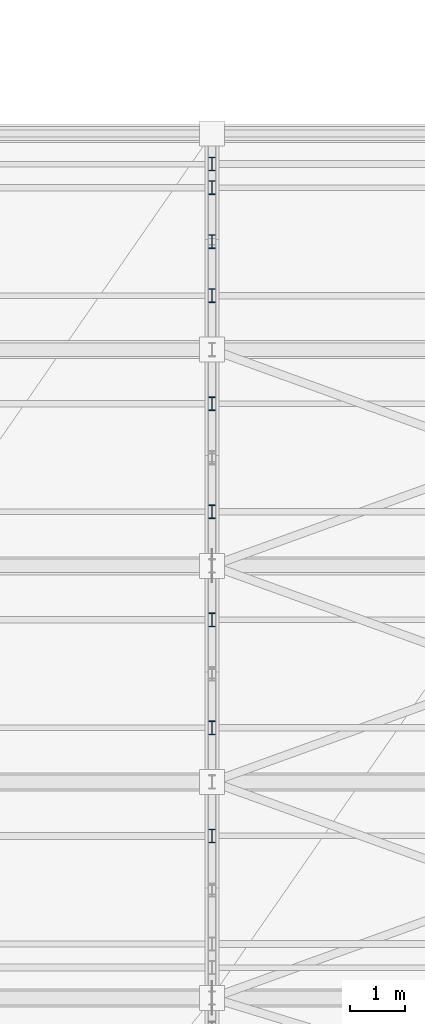
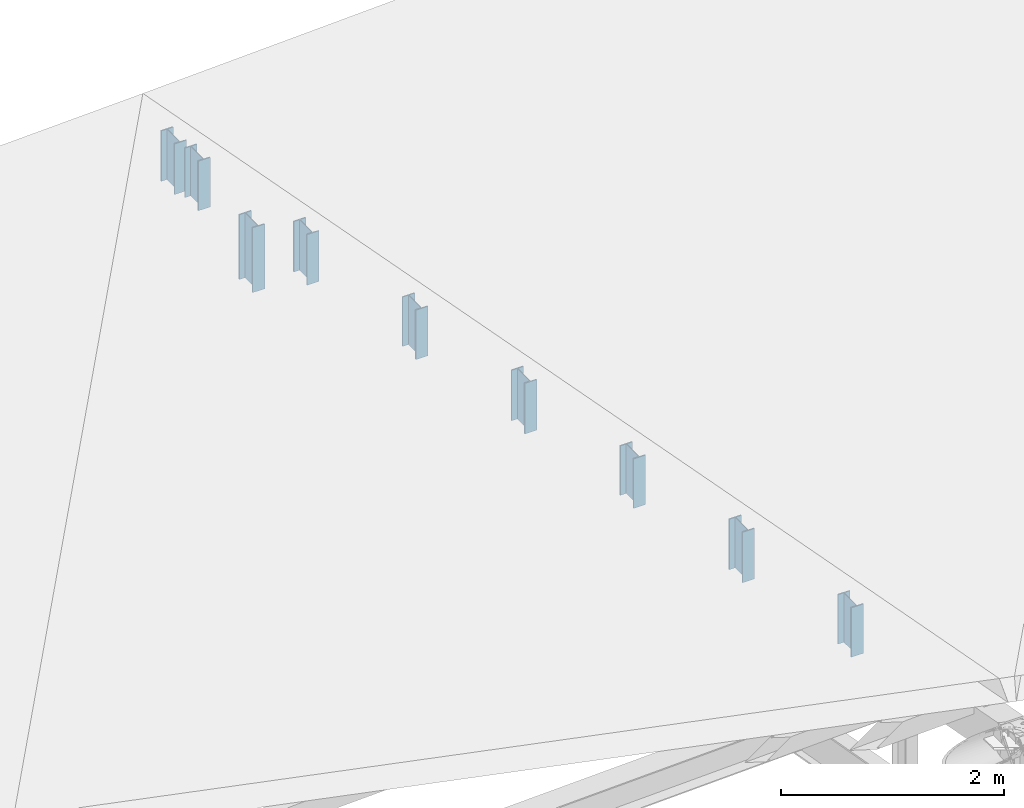
# One storey, part 51 of 89: 9 members.
"""IFC4 building model written with IfcOpenShell, lengths in metres."""

from ifc_helpers import new_model, si_unit, direction, frame, origin, origin_2d, place, context, subcontext, project, spatial, i_section, extrude, material, material_profile, profile_set, type_object, element, save


model = new_model("IFC4")

# Units and contexts
model_context = context("Model", 3, precision=1e-05, world=origin(), true_north=direction((0.0, 1.0)))
body_context = subcontext(model_context, "Body", "Model", "MODEL_VIEW")
ifc_project = project(units=[si_unit("LENGTHUNIT", "METRE"), si_unit("AREAUNIT", "SQUARE_METRE"), si_unit("VOLUMEUNIT", "CUBIC_METRE"), si_unit("PLANEANGLEUNIT", "RADIAN"), si_unit("MASSUNIT", "GRAM", prefix="KILO")], contexts=[model_context])

# Site, building, storey
site_placement = place(None, origin())
site = spatial("IfcSite", under=ifc_project, at=site_placement, CompositionType="ELEMENT")
building_placement = place(site_placement, origin())
building = spatial("IfcBuilding", under=site, at=building_placement, Name="Suirenkawa Promenade Aquatics Centre", CompositionType="ELEMENT")
storey_placement = place(building_placement, frame((0.0, 0.0, 9.60009765625)))
storey = spatial("IfcBuildingStorey", under=building, at=storey_placement, Name="L02", CompositionType="ELEMENT", Elevation=9.60009765625)

# Members
ifc_material = material(Name="Steel IS 2062 E350 (Grade 350)", Category="steel")
ifc_material_profile = material_profile(ifc_material, i_section(OverallWidth=0.125, OverallDepth=0.25, WebThickness=0.007080078125, FlangeThickness=0.012939453125, at=origin_2d()), Name="ISMB 250", Category="steel")
ifc_profile_set = profile_set([ifc_material_profile], Name="Steel IS 2062 E350 (Grade 350)")
member_type = type_object("IfcMemberType", Name="MT-WEB-CHS168", PredefinedType="BRACE", material=ifc_profile_set)
member_1_placement = place(storey_placement, frame((122.39990234375, 26.85009765625, -1.75), z_axis=(0.0, 0.0, 1.0), x_axis=(1.0, 0.0, 0.0)))
element("IfcMember", 1, at=member_1_placement, inside=storey, type_object=member_type, Name="ROOF TRUSS V3 web post TD-03 MB-1430", PredefinedType="BRACE", context=body_context, shape_type="SweptSolid", body=[
    extrude(i_section(OverallWidth=0.125, OverallDepth=0.25, WebThickness=0.007080078125, FlangeThickness=0.012939453125, at=origin_2d()), origin(), (0.0, 0.0, 1.0), 0.708984375),
])
member_2_placement = place(storey_placement, frame((122.39990234375, 16.125, 0.766845703125), z_axis=(0.0, 0.0, 1.0), x_axis=(1.0, 0.0, 0.0)))
element("IfcMember", 2, at=member_2_placement, inside=storey, type_object=member_type, Name="ROOF TRUSS Purlin cleat post TD-03 MB-2770", PredefinedType="BRACE", context=body_context, shape_type="SweptSolid", body=[
    extrude(i_section(OverallWidth=0.125, OverallDepth=0.25, WebThickness=0.007080078125, FlangeThickness=0.012939453125, at=origin_2d()), origin(), (0.0, 0.0, 1.0), 0.541015625),
])
member_3_placement = place(storey_placement, frame((122.39990234375, 18.074951171875, 0.39794921875), z_axis=(0.0, 0.0, 1.0), x_axis=(1.0, 0.0, 0.0)))
element("IfcMember", 3, at=member_3_placement, inside=storey, type_object=member_type, Name="ROOF TRUSS Purlin cleat post TD-03 MB-2772", PredefinedType="BRACE", context=body_context, shape_type="SweptSolid", body=[
    extrude(i_section(OverallWidth=0.125, OverallDepth=0.25, WebThickness=0.007080078125, FlangeThickness=0.012939453125, at=origin_2d()), origin(), (0.0, 0.0, 1.0), 0.552978515625),
])
member_4_placement = place(storey_placement, frame((122.39990234375, 20.02490234375, 0.02880859375), z_axis=(0.0, 0.0, 1.0), x_axis=(1.0, 0.0, 0.0)))
element("IfcMember", 4, at=member_4_placement, inside=storey, type_object=member_type, Name="ROOF TRUSS Purlin cleat post TD-03 MB-2774", PredefinedType="BRACE", context=body_context, shape_type="SweptSolid", body=[
    extrude(i_section(OverallWidth=0.125, OverallDepth=0.25, WebThickness=0.007080078125, FlangeThickness=0.012939453125, at=origin_2d()), origin(), (0.0, 0.0, 1.0), 0.5419921875),
])
member_5_placement = place(storey_placement, frame((122.39990234375, 21.97509765625, -0.339111328125), z_axis=(0.0, 0.0, 1.0), x_axis=(1.0, 0.0, 0.0)))
element("IfcMember", 5, at=member_5_placement, inside=storey, type_object=member_type, Name="ROOF TRUSS Purlin cleat post TD-03 MB-2776", PredefinedType="BRACE", context=body_context, shape_type="SweptSolid", body=[
    extrude(i_section(OverallWidth=0.125, OverallDepth=0.25, WebThickness=0.007080078125, FlangeThickness=0.012939453125, at=origin_2d()), origin(), (0.0, 0.0, 1.0), 0.552978515625),
])
member_6_placement = place(storey_placement, frame((122.39990234375, 23.925048828125, -0.7080078125), z_axis=(0.0, 0.0, 1.0), x_axis=(1.0, 0.0, 0.0)))
element("IfcMember", 6, at=member_6_placement, inside=storey, type_object=member_type, Name="ROOF TRUSS Purlin cleat post TD-03 MB-2778", PredefinedType="BRACE", context=body_context, shape_type="SweptSolid", body=[
    extrude(i_section(OverallWidth=0.125, OverallDepth=0.25, WebThickness=0.007080078125, FlangeThickness=0.012939453125, at=origin_2d()), origin(), (0.0, 0.0, 1.0), 0.541015625),
])
member_7_placement = place(storey_placement, frame((122.39990234375, 25.875, -1.0771484375), z_axis=(0.0, 0.0, 1.0), x_axis=(1.0, 0.0, 0.0)))
element("IfcMember", 7, at=member_7_placement, inside=storey, type_object=member_type, Name="ROOF TRUSS Purlin cleat post TD-03 MB-2780", PredefinedType="BRACE", context=body_context, shape_type="SweptSolid", body=[
    extrude(i_section(OverallWidth=0.125, OverallDepth=0.25, WebThickness=0.007080078125, FlangeThickness=0.012939453125, at=origin_2d()), origin(), (0.0, 0.0, 1.0), 0.552978515625),
])
member_8_placement = place(storey_placement, frame((122.39990234375, 27.824951171875, -1.446044921875), z_axis=(0.0, 0.0, 1.0), x_axis=(1.0, 0.0, 0.0)))
element("IfcMember", 8, at=member_8_placement, inside=storey, type_object=member_type, Name="ROOF TRUSS Purlin cleat post TD-03 MB-2782", PredefinedType="BRACE", context=body_context, shape_type="SweptSolid", body=[
    extrude(i_section(OverallWidth=0.125, OverallDepth=0.25, WebThickness=0.007080078125, FlangeThickness=0.012939453125, at=origin_2d()), origin(), (0.0, 0.0, 1.0), 0.5419921875),
])
member_9_placement = place(storey_placement, frame((122.39990234375, 28.25, -1.526123046875), z_axis=(0.0, 0.0, 1.0), x_axis=(1.0, 0.0, 0.0)))
element("IfcMember", 9, at=member_9_placement, inside=storey, type_object=member_type, Name="ROOF TRUSS Purlin cleat post TD-03 MB-2784", PredefinedType="BRACE", context=body_context, shape_type="SweptSolid", body=[
    extrude(i_section(OverallWidth=0.125, OverallDepth=0.25, WebThickness=0.007080078125, FlangeThickness=0.012939453125, at=origin_2d()), origin(), (0.0, 0.0, 1.0), 0.552978515625),
])

save(model, "model.ifc")
